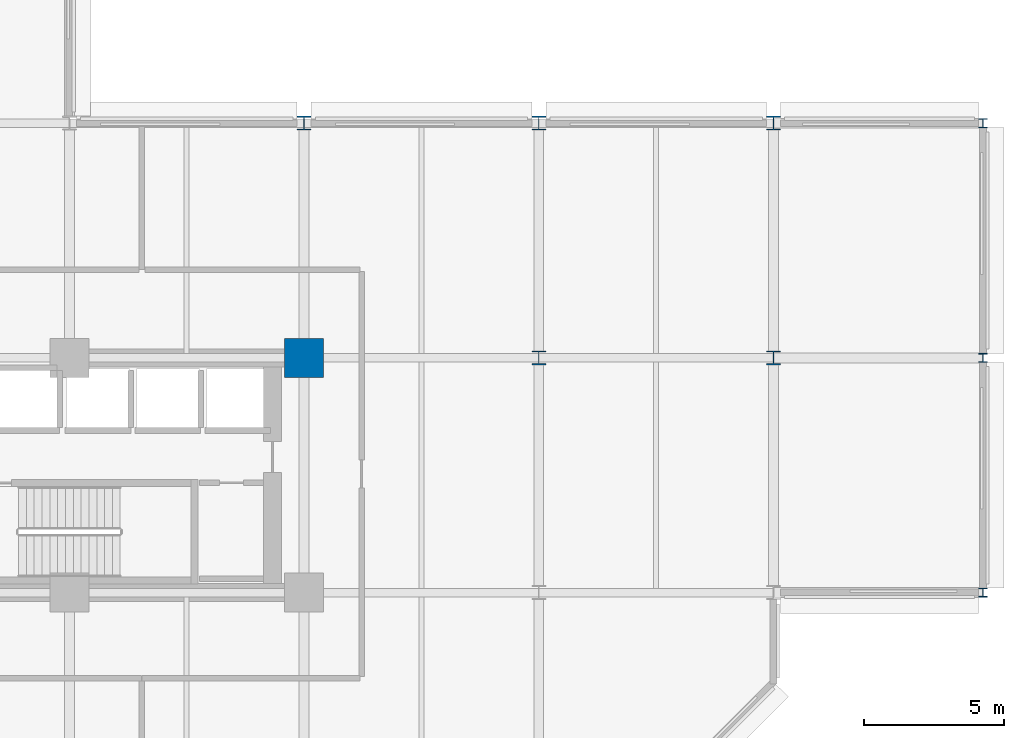
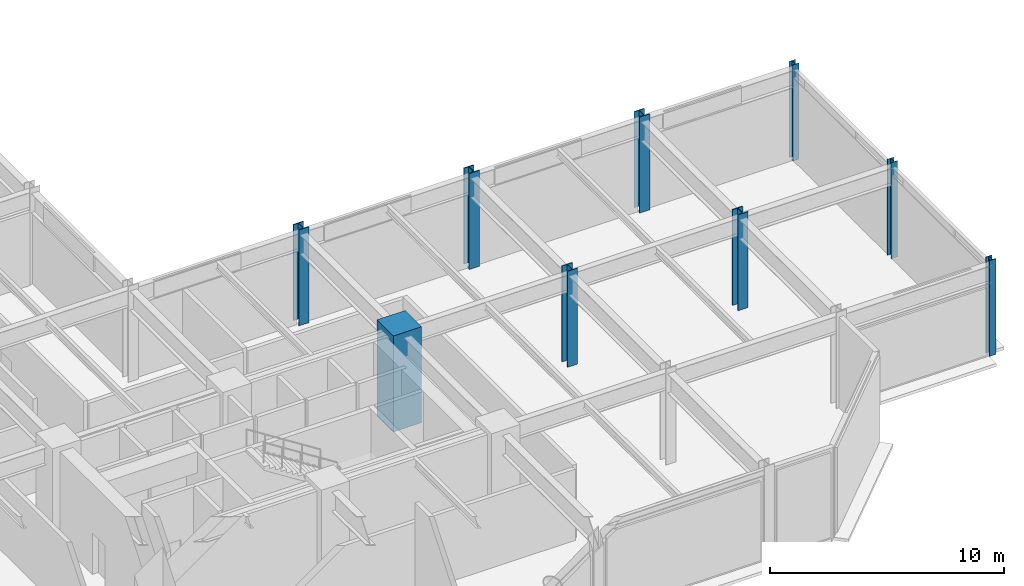
# One storey, part 2 of 13: 9 columns.
"""IFC4 building model written with IfcOpenShell, lengths in metres."""

from ifc_helpers import new_model, si_unit, direction, frame, origin, origin_2d, place, context, subcontext, project, spatial, rectangle, i_section, extrude, material, material_profile, profile_set, type_object, element, save


model = new_model("IFC4")

# Units and contexts
model_context = context("Model", 3, precision=1e-05, world=origin(), true_north=direction((0.0, 1.0)))
body_context = subcontext(model_context, "Body", "Model", "MODEL_VIEW")
ifc_project = project(units=[si_unit("LENGTHUNIT", "METRE"), si_unit("AREAUNIT", "SQUARE_METRE"), si_unit("VOLUMEUNIT", "CUBIC_METRE"), si_unit("PLANEANGLEUNIT", "RADIAN"), si_unit("MASSUNIT", "GRAM", prefix="KILO")], contexts=[model_context])

# Site, building, storey
site_placement = place(None, origin())
site = spatial("IfcSite", under=ifc_project, at=site_placement, CompositionType="ELEMENT")
building_placement = place(site_placement, origin())
building = spatial("IfcBuilding", under=site, at=building_placement, Name="Nerrivon Quay Data Exchange", CompositionType="ELEMENT")
storey_placement = place(building_placement, frame((0.0, 0.0, 79.39990234375)))
storey = spatial("IfcBuildingStorey", under=building, at=storey_placement, Name="L18", CompositionType="ELEMENT", Elevation=79.39990234375)

# Columns
ifc_material_1 = material(Name="Concrete N80 (80 MPa)", Category="concrete")
ifc_material_profile_1 = material_profile(ifc_material_1, rectangle(XDim=1.39990234375, YDim=1.39990234375, at=origin_2d()), Name="RC-COL-1400x1400")
ifc_profile_set_1 = profile_set([ifc_material_profile_1], Name="Concrete N80 (80 MPa)")
column_type_1 = type_object("IfcColumnType", Name="COL-C2-1400", PredefinedType="COLUMN", material=ifc_profile_set_1)
column_placement = place(storey_placement, frame((33.60009765625, 16.800048828125, 0.0), z_axis=(0.0, 0.0, 1.0), x_axis=(1.0, 0.0, 0.0)))
element("IfcColumn", 1, at=column_placement, inside=storey, type_object=column_type_1, Name="L18 Column (33.6,16.8)", PredefinedType="COLUMN", context=body_context, shape_type="SweptSolid", body=[
    extrude(rectangle(XDim=1.39990234375, YDim=1.39990234375, at=origin_2d()), origin(), (0.0, 0.0, 1.0), 5.0),
])
ifc_material_2 = material(Name="Steel Grade 350", Category="steel")
ifc_material_profile_2 = material_profile(ifc_material_2, i_section(OverallWidth=0.5, OverallDepth=0.5, WebThickness=0.028076171875, FlangeThickness=0.0400390625, at=origin_2d()), Name="500WC440")
ifc_profile_set_2 = profile_set([ifc_material_profile_2], Name="Steel Grade 350")
column_type_2 = type_object("IfcColumnType", Name="COL-SC1-500WC", PredefinedType="COLUMN", material=ifc_profile_set_2)
for number, where, z_axis, x_axis, name in (
    (2, (33.60009765625, 25.199951171875, 0.0), (0.0, 0.0, 1.0), (1.0, 0.0, 0.0), "L18 Column (33.6,25.2)"),
    (3, (42.0, 16.800048828125, 0.0), (0.0, 0.0, 1.0), (1.0, 0.0, 0.0), "L18 Column (42.0,16.8)"),
    (4, (42.0, 25.199951171875, 0.0), (0.0, 0.0, 1.0), (1.0, 0.0, 0.0), "L18 Column (42.0,25.2)"),
    (5, (50.39990234375, 16.800048828125, 0.0), (0.0, 0.0, 1.0), (1.0, 0.0, 0.0), "L18 Column (50.4,16.8)"),
    (6, (50.39990234375, 25.199951171875, 0.0), (0.0, 0.0, 1.0), (1.0, 0.0, 0.0), "L18 Column (50.4,25.2)"),
):
    element("IfcColumn", number, at=place(storey_placement, frame(where, z_axis=z_axis, x_axis=x_axis)), inside=storey, type_object=column_type_2, Name=name, PredefinedType="COLUMN", context=body_context, shape_type="SweptSolid", body=[
        extrude(i_section(OverallWidth=0.5, OverallDepth=0.5, WebThickness=0.028076171875, FlangeThickness=0.0400390625, at=origin_2d()), origin(), (0.0, 0.0, 1.0), 5.0),
    ])
ifc_material_profile_3 = material_profile(ifc_material_2, i_section(OverallWidth=0.31103515625, OverallDepth=0.326904296875, WebThickness=0.015625, FlangeThickness=0.02490234375, FilletRadius=0.0166015625, at=origin_2d()), Name="310UC158")
ifc_profile_set_3 = profile_set([ifc_material_profile_3], Name="Steel Grade 350")
column_type_3 = type_object("IfcColumnType", Name="COL-SC4-310UC158", PredefinedType="COLUMN", material=ifc_profile_set_3)
for number, where, z_axis, x_axis, name in (
    (7, (57.89990234375, 8.39990234375, 0.0), (0.0, 0.0, 1.0), (1.0, 0.0, 0.0), "L18 East Hooked Post (57.9,8.4)"),
    (8, (57.89990234375, 16.800048828125, 0.0), (0.0, 0.0, 1.0), (1.0, 0.0, 0.0), "L18 East Hooked Post (57.9,16.8)"),
    (9, (57.89990234375, 25.199951171875, 0.0), (0.0, 0.0, 1.0), (1.0, 0.0, 0.0), "L18 East Hooked Post (57.9,25.2)"),
):
    element("IfcColumn", number, at=place(storey_placement, frame(where, z_axis=z_axis, x_axis=x_axis)), inside=storey, type_object=column_type_3, Name=name, PredefinedType="COLUMN", context=body_context, shape_type="SweptSolid", body=[
        extrude(i_section(OverallWidth=0.31103515625, OverallDepth=0.326904296875, WebThickness=0.015625, FlangeThickness=0.02490234375, FilletRadius=0.0166015625, at=origin_2d()), origin(), (0.0, 0.0, 1.0), 5.0),
    ])

save(model, "model.ifc")
